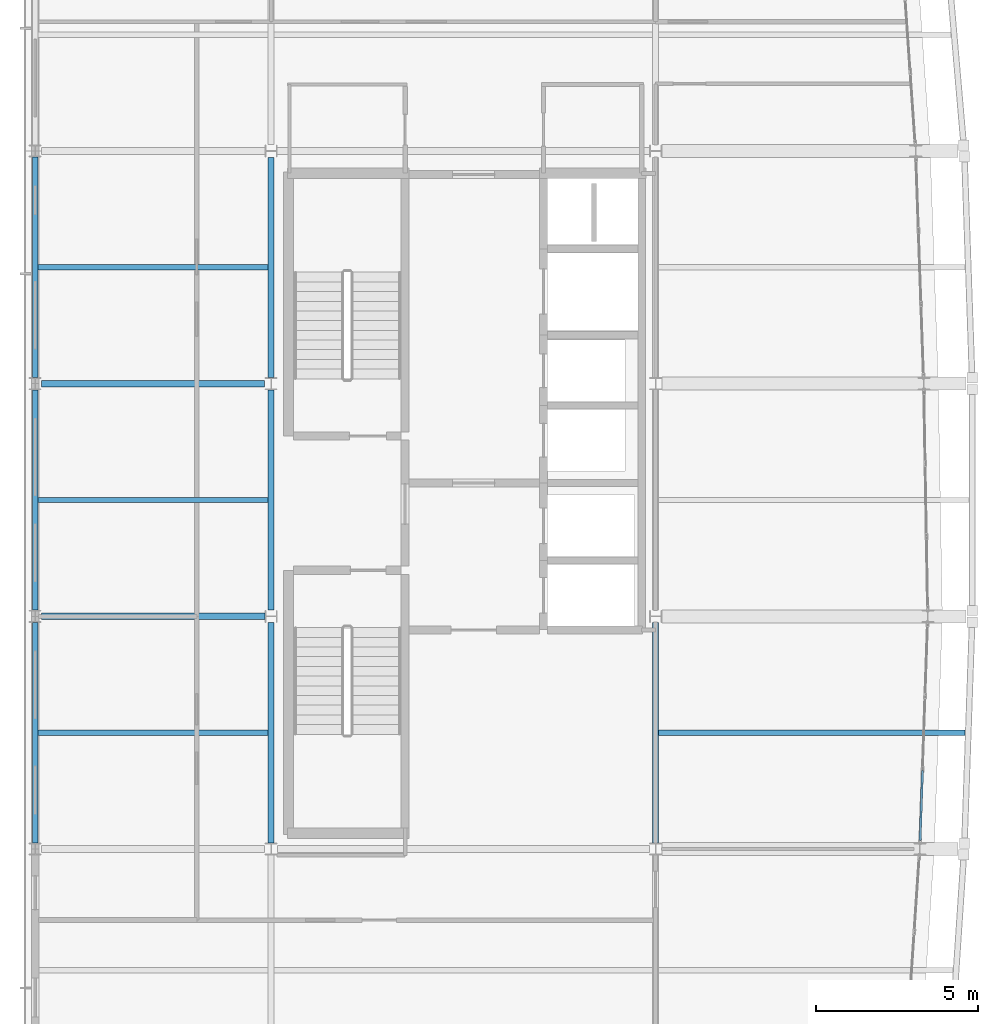
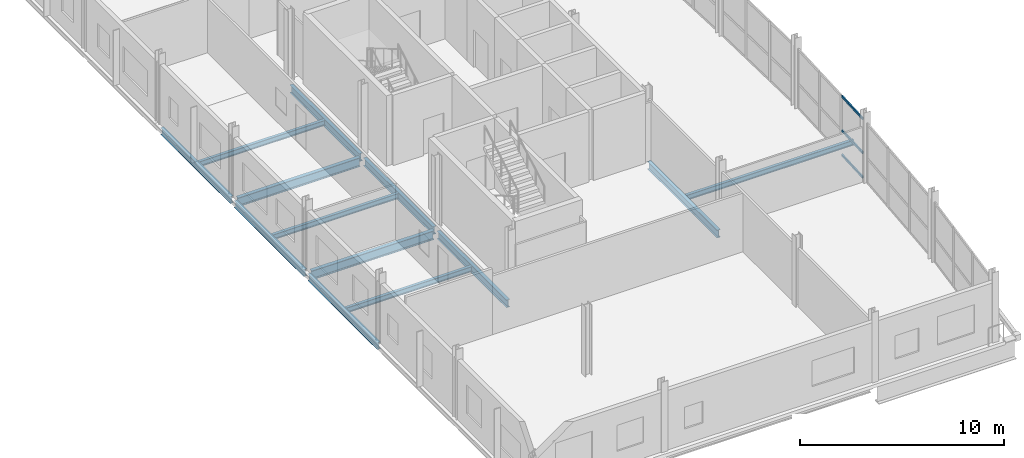
# One storey, part 5 of 23: 13 beams, 3 members, 1 element without a shape of its own.
"""IFC4 building model written with IfcOpenShell, lengths in metres."""

from ifc_helpers import new_model, si_unit, direction, frame, origin, origin_2d, place, context, subcontext, project, spatial, hollow_rectangle, i_section, extrude, material, layer, layer_set, material_profile, profile_set, type_object, element, aggregate, save


model = new_model("IFC4")

# Units and contexts
model_context = context("Model", 3, precision=1e-05, world=origin(), true_north=direction((0.0, 1.0)))
body_context = subcontext(model_context, "Body", "Model", "MODEL_VIEW")
ifc_project = project(units=[si_unit("LENGTHUNIT", "METRE"), si_unit("AREAUNIT", "SQUARE_METRE"), si_unit("VOLUMEUNIT", "CUBIC_METRE"), si_unit("PLANEANGLEUNIT", "RADIAN"), si_unit("MASSUNIT", "GRAM", prefix="KILO")], contexts=[model_context])

# Site, building, storey
site_placement = place(None, origin())
site = spatial("IfcSite", under=ifc_project, at=site_placement, CompositionType="ELEMENT")
building_placement = place(site_placement, origin())
building = spatial("IfcBuilding", under=site, at=building_placement, Name="Quillay Park Conservatory", CompositionType="ELEMENT")
storey_placement = place(building_placement, frame((0.0, 0.0, 22.5)))
storey = spatial("IfcBuildingStorey", under=building, at=storey_placement, Name="L05", CompositionType="ELEMENT", Elevation=22.5)

# Beams
ifc_material_1 = material(Name="Steel ASTM A992 Grade 50", Category="steel")
ifc_material_profile_1 = material_profile(ifc_material_1, i_section(OverallWidth=0.166015625, OverallDepth=0.31298828125, WebThickness=0.006591796875, FlangeThickness=0.01123046875, FilletRadius=0.010009765625, at=origin_2d()), Name="W310x45")
ifc_profile_set_1 = profile_set([ifc_material_profile_1], Name="Steel ASTM A992 Grade 50")
beam_type_1 = type_object("IfcBeamType", Name="COMPOSITE FLOOR JOIST W310 X45", PredefinedType="JOIST", material=ifc_profile_set_1)
beam_1_placement = place(storey_placement, frame((0.639892578125, 81.60009765625, -0.3564453125), z_axis=(1.0, 0.0, 0.0), x_axis=(0.0, 1.0, 0.0)))
element("IfcBeam", 1, at=beam_1_placement, inside=storey, type_object=beam_type_1, Name="L05 beam BM-J-0420", PredefinedType="JOIST", context=body_context, shape_type="SweptSolid", body=[
    extrude(i_section(OverallWidth=0.166015625, OverallDepth=0.31298828125, WebThickness=0.006591796875, FlangeThickness=0.01123046875, FilletRadius=0.010009765625, at=origin_2d()), origin(), (0.0, 0.0, 1.0), 7.114013671875),
])
beam_2_placement = place(storey_placement, frame((19.845947265625, 81.60009765625, -0.3564453125), z_axis=(1.0, 0.0, 0.0), x_axis=(0.0, 1.0, 0.0)))
element("IfcBeam", 2, at=beam_2_placement, inside=storey, type_object=beam_type_1, Name="L05 beam BM-J-0421", PredefinedType="JOIST", context=body_context, shape_type="SweptSolid", body=[
    extrude(i_section(OverallWidth=0.166015625, OverallDepth=0.31298828125, WebThickness=0.006591796875, FlangeThickness=0.01123046875, FilletRadius=0.010009765625, at=origin_2d()), origin(), (0.0, 0.0, 1.0), 9.47900390625),
])
for number, where, z_axis, x_axis, name in (
    (3, (0.639892578125, 88.800048828125, -0.3564453125), (1.0, 0.0, 0.0), (0.0, 1.0, 0.0), "L05 beam BM-J-0426"),
    (4, (0.639892578125, 96.0, -0.3564453125), (1.0, 0.0, 0.0), (0.0, 1.0, 0.0), "L05 beam BM-J-0432"),
):
    element("IfcBeam", number, at=place(storey_placement, frame(where, z_axis=z_axis, x_axis=x_axis)), inside=storey, type_object=beam_type_1, Name=name, PredefinedType="JOIST", context=body_context, shape_type="SweptSolid", body=[
        extrude(i_section(OverallWidth=0.166015625, OverallDepth=0.31298828125, WebThickness=0.006591796875, FlangeThickness=0.01123046875, FilletRadius=0.010009765625, at=origin_2d()), origin(), (0.0, 0.0, 1.0), 7.114013671875),
    ])

# Curtain wall, members
ifc_material_2 = material(Name="Thermally Broken Anodised Aluminium 6063-T6", Category="aluminium")
ifc_layer = layer(ifc_material_2, 0.179931640625)
ifc_layer_set = layer_set([ifc_layer], Name="UNITISED CURTAIN WALL TOWER (Thermally Broken Anodised Aluminium 6063-T6)")
curtain_wall_type = type_object("IfcCurtainWallType", Name="UNITISED CURTAIN WALL TOWER", PredefinedType="USERDEFINED", material=ifc_layer_set)
curtain_wall_placement = place(storey_placement, origin())
curtain_wall = element("IfcCurtainWall", 5, at=curtain_wall_placement, inside=storey, type_object=curtain_wall_type, Name="L05 Unitised Curtain Wall 050", ObjectType="UNITISED CURTAIN WALL", PredefinedType="USERDEFINED")
ifc_material_3 = material(Name="Thermally Broken Anodised Aluminium 6063-T6", Category="aluminium")
ifc_material_profile_2 = material_profile(ifc_material_3, hollow_rectangle(XDim=0.070068359375, YDim=0.1298828125, WallThickness=0.003173828125, at=origin_2d()), Name="AL70x130x3.2")
ifc_profile_set_2 = profile_set([ifc_material_profile_2], Name="Thermally Broken Anodised Aluminium 6063-T6")
member_type = type_object("IfcMemberType", Name="CURTAIN WALL TRANSOM 70 X130", PredefinedType="USERDEFINED", material=ifc_profile_set_2)
member_1_placement = place(storey_placement, frame((28.009521484375, 80.431640625, 0.034912109375), z_axis=(-0.034761587249, -0.999395633396, 0.0), x_axis=(0.999395633396, -0.034761587249, 0.0)))
member_1 = element("IfcMember", 6, at=member_1_placement, type_object=member_type, Name="CW-T1 transom 3.1", ObjectType="TRANSOM", PredefinedType="USERDEFINED", context=body_context, shape_type="SweptSolid", body=[
    extrude(hollow_rectangle(XDim=0.070068359375, YDim=0.1298828125, WallThickness=0.003173828125, at=origin_2d()), origin(), (0.0, 0.0, 1.0), 2.1630859375),
])
member_2_placement = place(storey_placement, frame((28.009521484375, 80.431640625, 1.4990234375), z_axis=(-0.034761587249, -0.999395633396, 0.0), x_axis=(0.999395633396, -0.034761587249, 0.0)))
member_2 = element("IfcMember", 7, at=member_2_placement, type_object=member_type, Name="CW-T1 transom 3.2", ObjectType="TRANSOM", PredefinedType="USERDEFINED", context=body_context, shape_type="SweptSolid", body=[
    extrude(hollow_rectangle(XDim=0.070068359375, YDim=0.1298828125, WallThickness=0.003173828125, at=origin_2d()), origin(), (0.0, 0.0, 1.0), 2.1630859375),
])
member_3_placement = place(storey_placement, frame((28.009521484375, 80.431640625, 3.533935546875), z_axis=(-0.034761587249, -0.999395633396, 0.0), x_axis=(0.999395633396, -0.034761587249, 0.0)))
member_3 = element("IfcMember", 8, at=member_3_placement, type_object=member_type, Name="CW-T1 transom 3.3", ObjectType="TRANSOM", PredefinedType="USERDEFINED", context=body_context, shape_type="SweptSolid", body=[
    extrude(hollow_rectangle(XDim=0.070068359375, YDim=0.1298828125, WallThickness=0.003173828125, at=origin_2d()), origin(), (0.0, 0.0, 1.0), 2.1630859375),
])
aggregate(curtain_wall, [member_1, member_2, member_3])

# Beams
ifc_material_4 = material(Name="Steel ASTM A992 Grade 50", Category="steel")
ifc_material_profile_3 = material_profile(ifc_material_4, i_section(OverallWidth=0.179931640625, OverallDepth=0.4130859375, WebThickness=0.009765625, FlangeThickness=0.01611328125, FilletRadius=0.011962890625, at=origin_2d()), Name="W410x74")
ifc_profile_set_3 = profile_set([ifc_material_profile_3], Name="Steel ASTM A992 Grade 50")
beam_type_2 = type_object("IfcBeamType", Name="PERIMETER SPANDREL BEAM W410 X74", PredefinedType="SPANDREL", material=ifc_profile_set_3)
for number, where, z_axis, x_axis, name in (
    (9, (0.550048828125, 78.18994140625, -0.406494140625), (0.0, 1.0, 0.0), (-1.0, 0.0, 0.0), "L05 beam BM-SPW-0416"),
    (10, (0.550048828125, 85.389892578125, -0.406494140625), (0.0, 1.0, 0.0), (-1.0, 0.0, 0.0), "L05 beam BM-SPW-0422"),
):
    element("IfcBeam", number, at=place(storey_placement, frame(where, z_axis=z_axis, x_axis=x_axis)), inside=storey, type_object=beam_type_2, Name=name, PredefinedType="SPANDREL", context=body_context, shape_type="SweptSolid", body=[
        extrude(i_section(OverallWidth=0.179931640625, OverallDepth=0.4130859375, WebThickness=0.009765625, FlangeThickness=0.01611328125, FilletRadius=0.011962890625, at=origin_2d()), origin(), (0.0, 0.0, 1.0), 6.820068359375),
    ])
beam_3_placement = place(storey_placement, frame((0.550048828125, 92.590087890625, -0.406494140625), z_axis=(0.0, 1.0, 0.0), x_axis=(-1.0, 0.0, 0.0)))
element("IfcBeam", 11, at=beam_3_placement, inside=storey, type_object=beam_type_2, Name="L05 beam BM-SPW-0428", PredefinedType="SPANDREL", context=body_context, shape_type="SweptSolid", body=[
    extrude(i_section(OverallWidth=0.179931640625, OverallDepth=0.4130859375, WebThickness=0.009765625, FlangeThickness=0.01611328125, FilletRadius=0.011962890625, at=origin_2d()), origin(), (0.0, 0.0, 1.0), 6.81982421875),
])
ifc_material_5 = material(Name="Steel ASTM A992 Grade 50", Category="steel")
ifc_material_profile_4 = material_profile(ifc_material_5, i_section(OverallWidth=0.19189453125, OverallDepth=0.462890625, WebThickness=0.010498046875, FlangeThickness=0.017578125, FilletRadius=0.012939453125, at=origin_2d()), Name="W460x89")
ifc_profile_set_4 = profile_set([ifc_material_profile_4], Name="Steel ASTM A992 Grade 50")
beam_type_3 = type_object("IfcBeamType", Name="PRIMARY FLOOR GIRDER W460 X89", PredefinedType="BEAM", material=ifc_profile_set_4)
for number, where, z_axis, x_axis, name in (
    (12, (7.85009765625, 78.18994140625, -0.431396484375), (0.0, 1.0, 0.0), (-1.0, 0.0, 0.0), "L05 beam BM-GNS-0418"),
    (13, (19.75, 78.18994140625, -0.431396484375), (0.0, 1.0, 0.0), (-1.0, 0.0, 0.0), "L05 beam BM-GNS-0419"),
    (14, (7.85009765625, 85.3974609375, -0.431396484375), (0.0, 1.0, 0.0), (-1.0, 0.0, 0.0), "L05 beam BM-GNS-0424"),
    (15, (7.85009765625, 92.590087890625, -0.431396484375), (0.0, 1.0, 0.0), (-1.0, 0.0, 0.0), "L05 beam BM-GNS-0430"),
):
    element("IfcBeam", number, at=place(storey_placement, frame(where, z_axis=z_axis, x_axis=x_axis)), inside=storey, type_object=beam_type_3, Name=name, PredefinedType="BEAM", context=body_context, shape_type="SweptSolid", body=[
        extrude(i_section(OverallWidth=0.19189453125, OverallDepth=0.462890625, WebThickness=0.010498046875, FlangeThickness=0.017578125, FilletRadius=0.012939453125, at=origin_2d()), origin(), (0.0, 0.0, 1.0), 6.8125),
    ])
ifc_material_6 = material(Name="Steel ASTM A992 Grade 50", Category="steel")
ifc_material_profile_5 = material_profile(ifc_material_6, i_section(OverallWidth=0.2109375, OverallDepth=0.5390625, WebThickness=0.01171875, FlangeThickness=0.018798828125, FilletRadius=0.013916015625, at=origin_2d()), Name="W530x109")
ifc_profile_set_5 = profile_set([ifc_material_profile_5], Name="Steel ASTM A992 Grade 50")
beam_type_4 = type_object("IfcBeamType", Name="PRIMARY FLOOR GIRDER W530 X109", PredefinedType="BEAM", material=ifc_profile_set_5)
beam_4_placement = place(storey_placement, frame((0.74755859375, 85.199951171875, -0.469482421875), z_axis=(1.0, 0.0, 0.0), x_axis=(0.0, 1.0, 0.0)))
element("IfcBeam", 16, at=beam_4_placement, inside=storey, type_object=beam_type_4, Name="L05 beam BM-G-0389", PredefinedType="BEAM", context=body_context, shape_type="SweptSolid", body=[
    extrude(i_section(OverallWidth=0.2109375, OverallDepth=0.5390625, WebThickness=0.01171875, FlangeThickness=0.018798828125, FilletRadius=0.013916015625, at=origin_2d()), origin(), (0.0, 0.0, 1.0), 6.912353515625),
])
beam_5_placement = place(storey_placement, frame((0.74755859375, 92.39990234375, -0.469482421875), z_axis=(1.0, 0.0, 0.0), x_axis=(0.0, 1.0, 0.0)))
element("IfcBeam", 17, at=beam_5_placement, inside=storey, type_object=beam_type_4, Name="L05 beam BM-G-0391", PredefinedType="BEAM", context=body_context, shape_type="SweptSolid", body=[
    extrude(i_section(OverallWidth=0.2109375, OverallDepth=0.5390625, WebThickness=0.01171875, FlangeThickness=0.018798828125, FilletRadius=0.013916015625, at=origin_2d()), origin(), (0.0, 0.0, 1.0), 6.905029296875),
])

save(model, "model.ifc")
